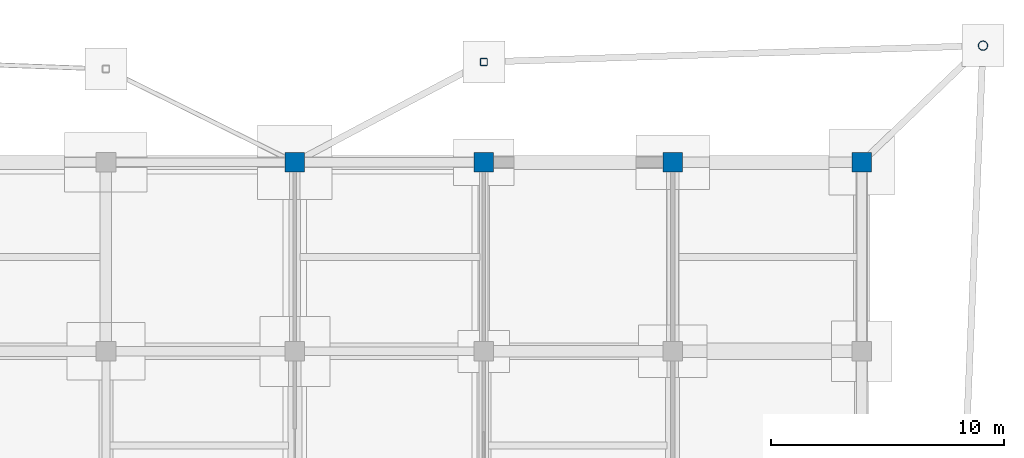
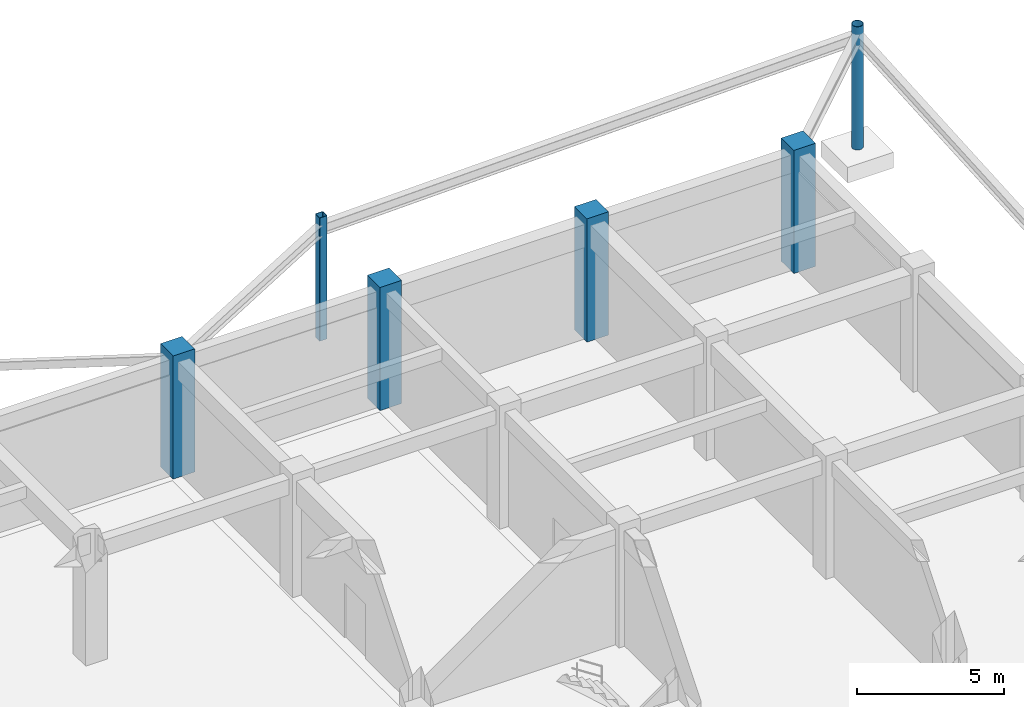
# One storey, part 32 of 67: 6 columns.
"""IFC4 building model written with IfcOpenShell, lengths in metres."""

from ifc_helpers import new_model, si_unit, direction, frame, origin, origin_2d, place, context, subcontext, project, spatial, rectangle, hollow_rectangle, hollow_circle, extrude, material, material_profile, profile_set, type_object, element, save


model = new_model("IFC4")

# Units and contexts
model_context = context("Model", 3, precision=1e-05, world=origin(), true_north=direction((0.0, 1.0)))
body_context = subcontext(model_context, "Body", "Model", "MODEL_VIEW")
ifc_project = project(units=[si_unit("LENGTHUNIT", "METRE"), si_unit("AREAUNIT", "SQUARE_METRE"), si_unit("VOLUMEUNIT", "CUBIC_METRE"), si_unit("PLANEANGLEUNIT", "RADIAN"), si_unit("MASSUNIT", "GRAM", prefix="KILO")], contexts=[model_context])

# Site, building, storey
site_placement = place(None, origin())
site = spatial("IfcSite", under=ifc_project, at=site_placement, CompositionType="ELEMENT")
building_placement = place(site_placement, origin())
building = spatial("IfcBuilding", under=site, at=building_placement, Name="Vaudrelin Polytechnic", CompositionType="ELEMENT")
storey_placement = place(building_placement, frame((0.0, 0.0, -5.10009765625)))
storey = spatial("IfcBuildingStorey", under=building, at=storey_placement, Name="B1", CompositionType="ELEMENT", Elevation=-5.10009765625)

# Columns
ifc_material_1 = material(Name="Steel CSA G40.21 350WT", Category="steel")
ifc_material_profile_1 = material_profile(ifc_material_1, hollow_rectangle(XDim=0.304931640625, YDim=0.304931640625, WallThickness=0.0126953125, InnerFilletRadius=0.0126953125, OuterFilletRadius=0.025390625, at=origin_2d()), Name="HSS305x305x12.7")
ifc_profile_set_1 = profile_set([ifc_material_profile_1], Name="Steel CSA G40.21 350WT")
column_type_1 = type_object("IfcColumnType", Name="COL-C-HSS305", PredefinedType="COLUMN", material=ifc_profile_set_1)
column_1_placement = place(storey_placement, frame((153.89990234375, 125.800048828125, 0.0), z_axis=(0.0, 0.0, 1.0), x_axis=(1.0, 0.0, 0.0)))
element("IfcColumn", 1, at=column_1_placement, inside=storey, type_object=column_type_1, Name="Deconstructivist column B1 NE_N", PredefinedType="COLUMN", context=body_context, shape_type="SweptSolid", body=[
    extrude(hollow_rectangle(XDim=0.304931640625, YDim=0.304931640625, WallThickness=0.0126953125, InnerFilletRadius=0.0126953125, OuterFilletRadius=0.025390625, at=origin_2d()), origin(), (0.0, 0.0, 1.0), 5.10009765625),
])
ifc_material_2 = material(Name="Concrete 50 MPa", Category="concrete")
ifc_material_profile_2 = material_profile(ifc_material_2, rectangle(XDim=0.85009765625, YDim=0.85009765625, at=origin_2d()), Name="RC850x850")
ifc_profile_set_2 = profile_set([ifc_material_profile_2], Name="Concrete 50 MPa")
column_type_2 = type_object("IfcColumnType", Name="COL-C-RC850", PredefinedType="COLUMN", material=ifc_profile_set_2)
for number, where, z_axis, x_axis, name in (
    (2, (145.800048828125, 121.5, 0.0), (0.0, 0.0, 1.0), (1.0, 0.0, 0.0), "Column B1 19-16"),
    (3, (153.89990234375, 121.5, 0.0), (0.0, 0.0, 1.0), (1.0, 0.0, 0.0), "Column B1 20-16"),
    (4, (162.0, 121.5, 0.0), (0.0, 0.0, 1.0), (1.0, 0.0, 0.0), "Column B1 21-16"),
    (5, (170.10009765625, 121.5, 0.0), (0.0, 0.0, 1.0), (1.0, 0.0, 0.0), "Column B1 22-16"),
):
    element("IfcColumn", number, at=place(storey_placement, frame(where, z_axis=z_axis, x_axis=x_axis)), inside=storey, type_object=column_type_2, Name=name, PredefinedType="COLUMN", context=body_context, shape_type="SweptSolid", body=[
        extrude(rectangle(XDim=0.85009765625, YDim=0.85009765625, at=origin_2d()), origin(), (0.0, 0.0, 1.0), 5.10009765625),
    ])
ifc_material_profile_3 = material_profile(ifc_material_1, hollow_circle(Radius=0.203125, WallThickness=0.015869140625, at=origin_2d()), Name="CHS406.4x15.9")
ifc_profile_set_3 = profile_set([ifc_material_profile_3], Name="Steel CSA G40.21 350WT")
column_type_3 = type_object("IfcColumnType", Name="COL-C-TR406", PredefinedType="COLUMN", material=ifc_profile_set_3)
column_2_placement = place(storey_placement, frame((175.300048828125, 126.5, 0.0), z_axis=(0.0, 0.0, 1.0), x_axis=(1.0, 0.0, 0.0)))
element("IfcColumn", 6, at=column_2_placement, inside=storey, type_object=column_type_3, Name="Deconstructivist column B1 NE_APX", PredefinedType="COLUMN", context=body_context, shape_type="SweptSolid", body=[
    extrude(hollow_circle(Radius=0.203125, WallThickness=0.015869140625, at=origin_2d()), origin(), (0.0, 0.0, 1.0), 5.10009765625),
])

save(model, "model.ifc")
